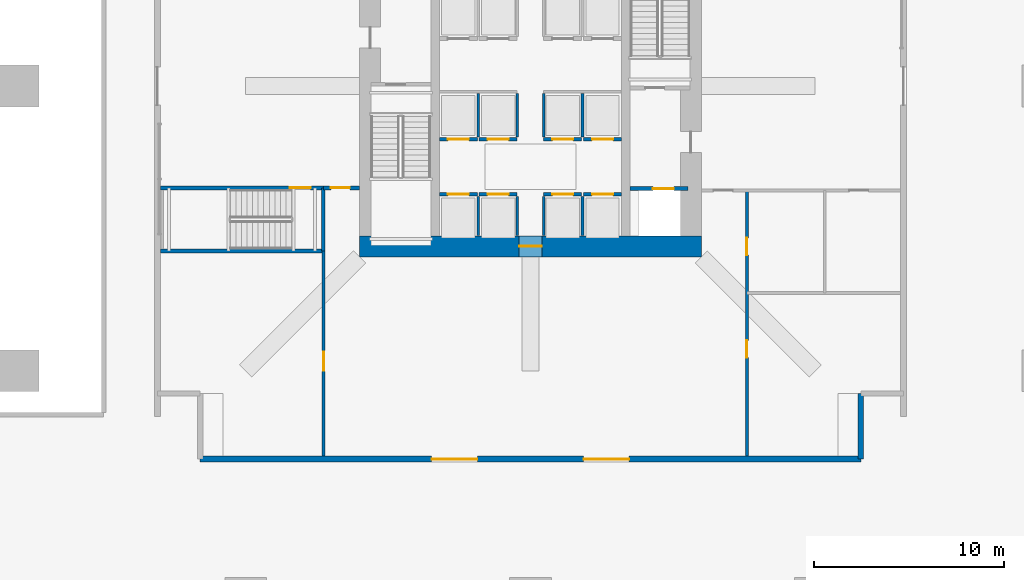
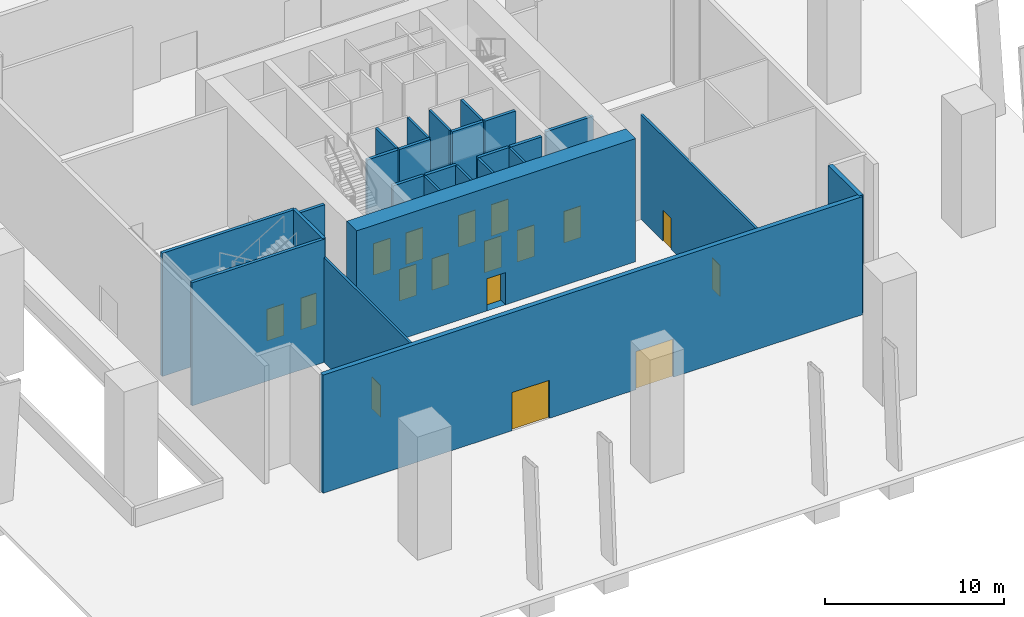
# One storey, part 6 of 12: 26 walls, 17 doors, 17 openings.
"""IFC4 building model written with IfcOpenShell, lengths in metres."""

from ifc_helpers import new_model, si_unit, direction, frame, frame_2d, origin, place, context, subcontext, project, spatial, rectangle, extrude, material, layer, layer_set, type_object, element, fill, save


model = new_model("IFC4")

# Units and contexts
model_context = context("Model", 3, precision=1e-05, world=origin(), true_north=direction((0.0, 1.0)))
body_context = subcontext(model_context, "Body", "Model", "MODEL_VIEW")
ifc_project = project(units=[si_unit("LENGTHUNIT", "METRE"), si_unit("AREAUNIT", "SQUARE_METRE"), si_unit("VOLUMEUNIT", "CUBIC_METRE"), si_unit("PLANEANGLEUNIT", "RADIAN"), si_unit("MASSUNIT", "GRAM", prefix="KILO")], contexts=[model_context])

# Site, building, storey
site_placement = place(None, origin())
site = spatial("IfcSite", under=ifc_project, at=site_placement, CompositionType="ELEMENT")
building_placement = place(site_placement, origin())
building = spatial("IfcBuilding", under=site, at=building_placement, Name="Belovzor Exchange Tower", CompositionType="ELEMENT")
storey_placement = place(building_placement, origin())
storey = spatial("IfcBuildingStorey", under=building, at=storey_placement, Name="L01", CompositionType="ELEMENT", Elevation=0.0)

# Wall, opening, door
ifc_material_1 = material(Name="Fire-Rated Gypsum Block and Mineral Wool", Category="gypsum")
ifc_layer_1 = layer(ifc_material_1, 0.14990234375)
ifc_layer_set_1 = layer_set([ifc_layer_1], Name="Fire-Rated Gypsum Block and Mineral Wool")
wall_type_1 = type_object("IfcWallType", Name="Fire-Rated Gypsum Block Corridor Wall 150", PredefinedType="PARTITIONING", material=ifc_layer_set_1)
wall_1_placement = place(storey_placement, frame((17.89990234375, 9.300048828125, 0.0), z_axis=(0.0, 0.0, 1.0), x_axis=(0.0, 1.0, 0.0)))
wall_1 = element("IfcWall", 1, at=wall_1_placement, inside=storey, type_object=wall_type_1, Name="W-P150 Partition Wall W-L01-RET-E", PredefinedType="PARTITIONING", context=body_context, shape_type="SweptSolid", body=[
    extrude(rectangle(XDim=10.800048828125, YDim=0.14990234375, at=frame_2d((5.39990234375, 0.0))), origin(), (0.0, 0.0, 1.0), 7.135009765625),
])
opening_1_placement = place(wall_1_placement, frame((4.5, 0.0, 0.0)))
opening_1 = element("IfcOpeningElement", 2, at=opening_1_placement, cuts=wall_1, Name="Opening D-FD60-105", PredefinedType="OPENING", context=body_context, shape_type="SweptSolid", body=[
    extrude(rectangle(XDim=1.0, YDim=2.14990234375, at=frame_2d((0.5, 1.074951171875))), frame((0.0, 0.0849609375, 0.0), z_axis=(0.0, -1.0, 0.0), x_axis=(1.0, 0.0, 0.0)), (0.0, 0.0, 1.0), 0.169921875),
])
ifc_material_2 = material(Name="Acoustic Timber Fire Leaf", Category="wood")
door_type_1 = type_object("IfcDoorType", Name="Podium Gallery Acoustic Fire Door 1000x2150", OperationType="NOTDEFINED", PredefinedType="DOOR", material=ifc_material_2)
door_1_placement = place(opening_1_placement, origin())
door_1 = element("IfcDoor", 3, at=door_1_placement, inside=storey, type_object=door_type_1, Name="D-FD60-105 Podium Gallery Acoustic Fire Door 1000x2150", OperationType="SINGLE_SWING_RIGHT", OverallHeight=2.14990234375, OverallWidth=1.0, PredefinedType="DOOR", context=body_context, shape_type="SweptSolid", body=[
    extrude(rectangle(XDim=1.0, YDim=2.14990234375, at=frame_2d((0.5, 1.074951171875))), frame((0.0, 0.02490234375, 0.0), z_axis=(0.0, -1.0, 0.0), x_axis=(1.0, 0.0, 0.0)), (0.0, 0.0, 1.0), 0.050048828125),
])
fill(opening_1, door_1)

# Wall, openings, doors
wall_2_placement = place(storey_placement, frame((40.199951171875, 9.300048828125, 0.0), z_axis=(0.0, 0.0, 1.0), x_axis=(0.0, 1.0, 0.0)))
wall_2 = element("IfcWall", 4, at=wall_2_placement, inside=storey, type_object=wall_type_1, Name="W-P150 Partition Wall W-L01-WC-W", PredefinedType="PARTITIONING", context=body_context, shape_type="SweptSolid", body=[
    extrude(rectangle(XDim=14.0, YDim=0.14990234375, at=frame_2d((7.0, 0.0))), origin(), (0.0, 0.0, 1.0), 7.135009765625),
])
opening_2_placement = place(wall_2_placement, frame((5.199951171875, 0.0, 0.0)))
opening_2 = element("IfcOpeningElement", 5, at=opening_2_placement, cuts=wall_2, Name="Opening D-FD60-090", PredefinedType="OPENING", context=body_context, shape_type="SweptSolid", body=[
    extrude(rectangle(XDim=0.89990234375, YDim=2.10009765625, at=frame_2d((0.449951171875, 1.050048828125))), frame((0.0, 0.0849609375, 0.0), z_axis=(0.0, -1.0, 0.0), x_axis=(1.0, 0.0, 0.0)), (0.0, 0.0, 1.0), 0.169921875),
])
opening_3_placement = place(wall_2_placement, frame((10.60009765625, 0.0, 0.0)))
opening_3 = element("IfcOpeningElement", 6, at=opening_3_placement, cuts=wall_2, Name="Opening D-FD60-090", PredefinedType="OPENING", context=body_context, shape_type="SweptSolid", body=[
    extrude(rectangle(XDim=0.89990234375, YDim=2.10009765625, at=frame_2d((0.449951171875, 1.050048828125))), frame((0.0, 0.0849609375, 0.0), z_axis=(0.0, -1.0, 0.0), x_axis=(1.0, 0.0, 0.0)), (0.0, 0.0, 1.0), 0.169921875),
])
ifc_material_3 = material(Name="Acoustic Timber Fire Leaf", Category="wood")
door_type_2 = type_object("IfcDoorType", Name="Core Service & Restroom Fire Door 900x2100", OperationType="NOTDEFINED", PredefinedType="DOOR", material=ifc_material_3)
door_2_placement = place(opening_2_placement, origin())
door_2 = element("IfcDoor", 7, at=door_2_placement, inside=storey, type_object=door_type_2, Name="D-FD60-090 Core Service & Restroom Fire Door 900x2100", OperationType="SINGLE_SWING_LEFT", OverallHeight=2.10009765625, OverallWidth=0.89990234375, PredefinedType="DOOR", context=body_context, shape_type="SweptSolid", body=[
    extrude(rectangle(XDim=0.89990234375, YDim=2.10009765625, at=frame_2d((0.449951171875, 1.050048828125))), frame((0.0, 0.02490234375, 0.0), z_axis=(0.0, -1.0, 0.0), x_axis=(1.0, 0.0, 0.0)), (0.0, 0.0, 1.0), 0.050048828125),
])
fill(opening_2, door_2)
door_3_placement = place(opening_3_placement, origin())
door_3 = element("IfcDoor", 8, at=door_3_placement, inside=storey, type_object=door_type_2, Name="D-FD60-090 Core Service & Restroom Fire Door 900x2100", OperationType="SINGLE_SWING_RIGHT", OverallHeight=2.10009765625, OverallWidth=0.89990234375, PredefinedType="DOOR", context=body_context, shape_type="SweptSolid", body=[
    extrude(rectangle(XDim=0.89990234375, YDim=2.10009765625, at=frame_2d((0.449951171875, 1.050048828125))), frame((0.0, 0.02490234375, 0.0), z_axis=(0.0, -1.0, 0.0), x_axis=(1.0, 0.0, 0.0)), (0.0, 0.0, 1.0), 0.050048828125),
])
fill(opening_3, door_3)

ifc_material_4 = material(Name="Precast concrete C40/50", Category="concrete")
ifc_layer_2 = layer(ifc_material_4, 0.300048828125)
ifc_layer_set_2 = layer_set([ifc_layer_2], Name="Precast concrete C40/50")
wall_type_2 = type_object("IfcWallType", Name="Precast Concrete Concourse Perimeter Wall 300", PredefinedType="SOLIDWALL", material=ifc_layer_set_2)
wall_3_placement = place(storey_placement, frame((46.199951171875, 9.14990234375, 0.0), z_axis=(0.0, 0.0, 1.0), x_axis=(-1.0, 0.0, 0.0)))
wall_3 = element("IfcWall", 9, at=wall_3_placement, inside=storey, type_object=wall_type_2, Name="W-CON300 Precast Concrete Concourse Perimeter Wall 300 L01", PredefinedType="SOLIDWALL", context=body_context, shape_type="SweptSolid", body=[
    extrude(rectangle(XDim=34.800048828125, YDim=0.300048828125, at=frame_2d((17.39990234375, 0.0))), origin(), (0.0, 0.0, 1.0), 8.050048828125),
])
opening_4_placement = place(wall_3_placement, frame((12.199951171875, 0.0, 0.0)))
opening_4 = element("IfcOpeningElement", 10, at=opening_4_placement, cuts=wall_3, Name="Opening D-ENT240", PredefinedType="OPENING", context=body_context, shape_type="SweptSolid", body=[
    extrude(rectangle(XDim=2.39990234375, YDim=2.60009765625, at=frame_2d((1.199951171875, 1.300048828125))), frame((0.0, 0.159912109375, 0.0), z_axis=(0.0, -1.0, 0.0), x_axis=(1.0, 0.0, 0.0)), (0.0, 0.0, 1.0), 0.320068359375),
])
opening_5_placement = place(wall_3_placement, frame((20.199951171875, 0.0, 0.0)))
opening_5 = element("IfcOpeningElement", 11, at=opening_5_placement, cuts=wall_3, Name="Opening D-ENT240", PredefinedType="OPENING", context=body_context, shape_type="SweptSolid", body=[
    extrude(rectangle(XDim=2.39990234375, YDim=2.60009765625, at=frame_2d((1.199951171875, 1.300048828125))), frame((0.0, 0.159912109375, 0.0), z_axis=(0.0, -1.0, 0.0), x_axis=(1.0, 0.0, 0.0)), (0.0, 0.0, 1.0), 0.320068359375),
])
ifc_material_5 = material(Name="Thermally Broken Anodised Aluminium and Laminated Glass", Category="aluminium")
door_type_3 = type_object("IfcDoorType", Name="Revolving & Pass Entrance Door Assembly 2400x2600", OperationType="DOUBLE_DOOR_SINGLE_SWING", PredefinedType="DOOR", material=ifc_material_5)
door_4_placement = place(opening_4_placement, origin())
door_4 = element("IfcDoor", 12, at=door_4_placement, inside=storey, type_object=door_type_3, Name="D-ENT240 Main Concourse Entrance S1", OperationType="DOUBLE_DOOR_SINGLE_SWING", OverallHeight=2.60009765625, OverallWidth=2.39990234375, PredefinedType="DOOR", context=body_context, shape_type="SweptSolid", body=[
    extrude(rectangle(XDim=2.39990234375, YDim=2.60009765625, at=frame_2d((1.199951171875, 1.300048828125))), frame((0.0, 0.02490234375, 0.0), z_axis=(0.0, -1.0, 0.0), x_axis=(1.0, 0.0, 0.0)), (0.0, 0.0, 1.0), 0.050048828125),
])
fill(opening_4, door_4)
door_5_placement = place(opening_5_placement, origin())
door_5 = element("IfcDoor", 13, at=door_5_placement, inside=storey, type_object=door_type_3, Name="D-ENT240 Main Concourse Entrance S2", OperationType="DOUBLE_DOOR_SINGLE_SWING", OverallHeight=2.60009765625, OverallWidth=2.39990234375, PredefinedType="DOOR", context=body_context, shape_type="SweptSolid", body=[
    extrude(rectangle(XDim=2.39990234375, YDim=2.60009765625, at=frame_2d((1.199951171875, 1.300048828125))), frame((0.0, 0.02490234375, 0.0), z_axis=(0.0, -1.0, 0.0), x_axis=(1.0, 0.0, 0.0)), (0.0, 0.0, 1.0), 0.050048828125),
])
fill(opening_5, door_5)

# Wall
ifc_material_6 = material(Name="Precast concrete C40/50", Category="concrete")
ifc_layer_3 = layer(ifc_material_6, 0.280029296875)
ifc_layer_set_3 = layer_set([ifc_layer_3], Name="Precast concrete C40/50")
wall_type_3 = type_object("IfcWallType", Name="Precast Concrete Notched Corner Frame Wall 280", PredefinedType="SOLIDWALL", material=ifc_layer_set_3)
wall_4_placement = place(storey_placement, frame((46.199951171875, 12.60009765625, 0.0), z_axis=(0.0, 0.0, 1.0), x_axis=(0.0, -1.0, 0.0)))
element("IfcWall", 14, at=wall_4_placement, inside=storey, type_object=wall_type_3, Name="W-CRN280 Precast Concrete Notched Corner Frame Wall 280 L01", PredefinedType="SOLIDWALL", context=body_context, shape_type="SweptSolid", body=[
    extrude(rectangle(XDim=3.4501953125, YDim=0.280029296875, at=frame_2d((1.72509765625, 0.0))), origin(), (0.0, 0.0, 1.0), 8.050048828125),
])

# Wall, opening, door
ifc_material_7 = material(Name="Concrete C40/50", Category="concrete")
ifc_layer_4 = layer(ifc_material_7, 0.199951171875)
ifc_layer_set_4 = layer_set([ifc_layer_4], Name="Concrete C40/50")
wall_type_4 = type_object("IfcWallType", Name="Reinforced Concrete Compartment Wall 200", PredefinedType="PARTITIONING", material=ifc_layer_set_4)
wall_5_placement = place(storey_placement, frame((17.885009765625, 23.43505859375, 0.0), z_axis=(0.0, 0.0, 1.0), x_axis=(1.0, 0.0, 0.0)))
wall_5 = element("IfcWall", 15, at=wall_5_placement, inside=storey, type_object=wall_type_4, Name="W-C200 Partition Wall W-L01-PASW-SE", PredefinedType="PARTITIONING", context=body_context, shape_type="SweptSolid", body=[
    extrude(rectangle(XDim=1.9150390625, YDim=0.199951171875, at=frame_2d((0.95751953125, 0.0))), origin(), (0.0, 0.0, 1.0), 8.050048828125),
])
opening_6_placement = place(wall_5_placement, frame((0.39990234375, 0.0, 0.0)))
opening_6 = element("IfcOpeningElement", 16, at=opening_6_placement, cuts=wall_5, Name="Opening D-FD90-105", PredefinedType="OPENING", context=body_context, shape_type="SweptSolid", body=[
    extrude(rectangle(XDim=1.0, YDim=2.14990234375, at=frame_2d((0.5, 1.074951171875))), frame((0.0, 0.10986328125, 0.0), z_axis=(0.0, -1.0, 0.0), x_axis=(1.0, 0.0, 0.0)), (0.0, 0.0, 1.0), 0.219970703125),
])
ifc_material_8 = material(Name="Fire-Rated Galvanised Steel Leaf", Category="steel")
door_type_4 = type_object("IfcDoorType", Name="Core North Foyer Fire Door 1000x2150", OperationType="NOTDEFINED", PredefinedType="DOOR", material=ifc_material_8)
door_6_placement = place(opening_6_placement, origin())
door_6 = element("IfcDoor", 17, at=door_6_placement, inside=storey, type_object=door_type_4, Name="D-FD90-105 Core North Foyer Fire Door 1000x2150", OperationType="SINGLE_SWING_LEFT", OverallHeight=2.14990234375, OverallWidth=1.0, PredefinedType="DOOR", context=body_context, shape_type="SweptSolid", body=[
    extrude(rectangle(XDim=1.0, YDim=2.14990234375, at=frame_2d((0.5, 1.074951171875))), frame((0.0, 0.02490234375, 0.0), z_axis=(0.0, -1.0, 0.0), x_axis=(1.0, 0.0, 0.0)), (0.0, 0.0, 1.0), 0.050048828125),
])
fill(opening_6, door_6)

# Walls
ifc_material_9 = material(Name="Concrete C50/60", Category="concrete")
ifc_layer_5 = layer(ifc_material_9, 0.14990234375)
ifc_layer_set_5 = layer_set([ifc_layer_5], Name="Concrete C50/60")
wall_type_5 = type_object("IfcWallType", Name="Reinforced Concrete Core Riser Shear Wall 150", PredefinedType="SHEAR", material=ifc_layer_set_5)
for number, where, z_axis, x_axis, name in (
    (18, (26.050048828125, 20.919921875, 0.0), (0.0, 0.0, 1.0), (0.0, 1.0, 0.0), "W-C150S Core Shaft Wall W-SHD-L01-PLL-1"),
    (19, (28.10009765625, 20.919921875, 0.0), (0.0, 0.0, 1.0), (0.0, 1.0, 0.0), "W-C150S Core Shaft Wall W-SHD-L01-PLL-2"),
    (20, (29.5, 20.919921875, 0.0), (0.0, 0.0, 1.0), (0.0, 1.0, 0.0), "W-C150S Core Shaft Wall W-SHD-L01-PLL-3"),
    (21, (31.550048828125, 20.919921875, 0.0), (0.0, 0.0, 1.0), (0.0, 1.0, 0.0), "W-C150S Core Shaft Wall W-SHD-L01-PLL-4"),
):
    element("IfcWall", number, at=place(storey_placement, frame(where, z_axis=z_axis, x_axis=x_axis)), inside=storey, type_object=wall_type_5, Name=name, PredefinedType="SHEAR", context=body_context, shape_type="SweptSolid", body=[
        extrude(rectangle(XDim=2.06005859375, YDim=0.14990234375, at=frame_2d((1.030029296875, 0.0))), origin(), (0.0, 0.0, 1.0), 8.050048828125),
    ])
for number, where, z_axis, x_axis, name in (
    (22, (26.050048828125, 26.1201171875, 0.0), (0.0, 0.0, 1.0), (0.0, 1.0, 0.0), "W-C150S Core Shaft Wall W-SHD-L01-PLM-1"),
    (23, (28.10009765625, 26.1201171875, 0.0), (0.0, 0.0, 1.0), (0.0, 1.0, 0.0), "W-C150S Core Shaft Wall W-SHD-L01-PLM-2"),
    (24, (29.5, 26.1201171875, 0.0), (0.0, 0.0, 1.0), (0.0, 1.0, 0.0), "W-C150S Core Shaft Wall W-SHD-L01-PLM-3"),
    (25, (31.550048828125, 26.1201171875, 0.0), (0.0, 0.0, 1.0), (0.0, 1.0, 0.0), "W-C150S Core Shaft Wall W-SHD-L01-PLM-4"),
):
    element("IfcWall", number, at=place(storey_placement, frame(where, z_axis=z_axis, x_axis=x_axis)), inside=storey, type_object=wall_type_5, Name=name, PredefinedType="SHEAR", context=body_context, shape_type="SweptSolid", body=[
        extrude(rectangle(XDim=2.27978515625, YDim=0.14990234375, at=frame_2d((1.139892578125, 0.0))), origin(), (0.0, 0.0, 1.0), 8.050048828125),
    ])

# Wall, opening, door
ifc_material_10 = material(Name="Concrete C50/60", Category="concrete")
ifc_layer_6 = layer(ifc_material_10, 0.199951171875)
ifc_layer_set_6 = layer_set([ifc_layer_6], Name="Concrete C50/60")
wall_type_6 = type_object("IfcWallType", Name="Reinforced Concrete Core Shaft Shear Wall 200", PredefinedType="SHEAR", material=ifc_layer_set_6)
wall_6_placement = place(storey_placement, frame((34.050048828125, 23.39990234375, 0.0), z_axis=(0.0, 0.0, 1.0), x_axis=(1.0, 0.0, 0.0)))
wall_6 = element("IfcWall", 26, at=wall_6_placement, inside=storey, type_object=wall_type_6, Name="W-C200S Core Shaft Wall W-SH-L01-FFL-02", PredefinedType="SHEAR", context=body_context, shape_type="SweptSolid", body=[
    extrude(rectangle(XDim=3.050048828125, YDim=0.199951171875, at=frame_2d((1.52490234375, 0.0))), origin(), (0.0, 0.0, 1.0), 8.050048828125),
])
opening_7_placement = place(wall_6_placement, frame((1.199951171875, 0.0, 0.0)))
opening_7 = element("IfcOpeningElement", 27, at=opening_7_placement, cuts=wall_6, Name="Opening LD-110", PredefinedType="OPENING", context=body_context, shape_type="SweptSolid", body=[
    extrude(rectangle(XDim=1.10009765625, YDim=2.14990234375, at=frame_2d((0.550048828125, 1.074951171875))), frame((0.0, 0.10986328125, 0.0), z_axis=(0.0, -1.0, 0.0), x_axis=(1.0, 0.0, 0.0)), (0.0, 0.0, 1.0), 0.219970703125),
])
ifc_material_11 = material(Name="Stainless Steel Grade 304", Category="steel")
door_type_5 = type_object("IfcDoorType", Name="Automated Stainless Steel Lift Landing Door 1100x2150", OperationType="SLIDING_TO_RIGHT", PredefinedType="DOOR", material=ifc_material_11)
door_7_placement = place(opening_7_placement, origin())
door_7 = element("IfcDoor", 28, at=door_7_placement, inside=storey, type_object=door_type_5, Name="LD-110 Automated Stainless Steel Lift Landing Door 1100x2150", OperationType="SLIDING_TO_RIGHT", OverallHeight=2.14990234375, OverallWidth=1.10009765625, PredefinedType="DOOR", context=body_context, shape_type="SweptSolid", body=[
    extrude(rectangle(XDim=1.10009765625, YDim=2.14990234375, at=frame_2d((0.550048828125, 1.074951171875))), frame((0.0, 0.02490234375, 0.0), z_axis=(0.0, -1.0, 0.0), x_axis=(1.0, 0.0, 0.0)), (0.0, 0.0, 1.0), 0.050048828125),
])
fill(opening_7, door_7)

wall_7_placement = place(storey_placement, frame((24.0, 23.10009765625, 0.0), z_axis=(0.0, 0.0, 1.0), x_axis=(1.0, 0.0, 0.0)))
wall_7 = element("IfcWall", 29, at=wall_7_placement, inside=storey, type_object=wall_type_6, Name="W-C200S Core Shaft Wall W-SH-L01-PL-L1", PredefinedType="SHEAR", context=body_context, shape_type="SweptSolid", body=[
    extrude(rectangle(XDim=2.0, YDim=0.199951171875, at=frame_2d((1.0, 0.0))), origin(), (0.0, 0.0, 1.0), 8.050048828125),
])
opening_8_placement = place(wall_7_placement, frame((0.449951171875, 0.0, 0.0)))
opening_8 = element("IfcOpeningElement", 30, at=opening_8_placement, cuts=wall_7, Name="Opening LD-110", PredefinedType="OPENING", context=body_context, shape_type="SweptSolid", body=[
    extrude(rectangle(XDim=1.10009765625, YDim=2.14990234375, at=frame_2d((0.550048828125, 1.074951171875))), frame((0.0, 0.10986328125, 0.0), z_axis=(0.0, -1.0, 0.0), x_axis=(1.0, 0.0, 0.0)), (0.0, 0.0, 1.0), 0.219970703125),
])
door_8_placement = place(opening_8_placement, origin())
door_8 = element("IfcDoor", 31, at=door_8_placement, inside=storey, type_object=door_type_5, Name="LD-110 Automated Stainless Steel Lift Landing Door 1100x2150", OperationType="SLIDING_TO_RIGHT", OverallHeight=2.14990234375, OverallWidth=1.10009765625, PredefinedType="DOOR", context=body_context, shape_type="SweptSolid", body=[
    extrude(rectangle(XDim=1.10009765625, YDim=2.14990234375, at=frame_2d((0.550048828125, 1.074951171875))), frame((0.0, 0.02490234375, 0.0), z_axis=(0.0, -1.0, 0.0), x_axis=(1.0, 0.0, 0.0)), (0.0, 0.0, 1.0), 0.050048828125),
])
fill(opening_8, door_8)

wall_8_placement = place(storey_placement, frame((26.10009765625, 23.10009765625, 0.0), z_axis=(0.0, 0.0, 1.0), x_axis=(1.0, 0.0, 0.0)))
wall_8 = element("IfcWall", 32, at=wall_8_placement, inside=storey, type_object=wall_type_6, Name="W-C200S Core Shaft Wall W-SH-L01-PL-L2", PredefinedType="SHEAR", context=body_context, shape_type="SweptSolid", body=[
    extrude(rectangle(XDim=2.0, YDim=0.199951171875, at=frame_2d((1.0, 0.0))), origin(), (0.0, 0.0, 1.0), 8.050048828125),
])
opening_9_placement = place(wall_8_placement, frame((0.449951171875, 0.0, 0.0)))
opening_9 = element("IfcOpeningElement", 33, at=opening_9_placement, cuts=wall_8, Name="Opening LD-110", PredefinedType="OPENING", context=body_context, shape_type="SweptSolid", body=[
    extrude(rectangle(XDim=1.10009765625, YDim=2.14990234375, at=frame_2d((0.550048828125, 1.074951171875))), frame((0.0, 0.10986328125, 0.0), z_axis=(0.0, -1.0, 0.0), x_axis=(1.0, 0.0, 0.0)), (0.0, 0.0, 1.0), 0.219970703125),
])
door_9_placement = place(opening_9_placement, origin())
door_9 = element("IfcDoor", 34, at=door_9_placement, inside=storey, type_object=door_type_5, Name="LD-110 Automated Stainless Steel Lift Landing Door 1100x2150", OperationType="SLIDING_TO_RIGHT", OverallHeight=2.14990234375, OverallWidth=1.10009765625, PredefinedType="DOOR", context=body_context, shape_type="SweptSolid", body=[
    extrude(rectangle(XDim=1.10009765625, YDim=2.14990234375, at=frame_2d((0.550048828125, 1.074951171875))), frame((0.0, 0.02490234375, 0.0), z_axis=(0.0, -1.0, 0.0), x_axis=(1.0, 0.0, 0.0)), (0.0, 0.0, 1.0), 0.050048828125),
])
fill(opening_9, door_9)

wall_9_placement = place(storey_placement, frame((29.5, 23.10009765625, 0.0), z_axis=(0.0, 0.0, 1.0), x_axis=(1.0, 0.0, 0.0)))
wall_9 = element("IfcWall", 35, at=wall_9_placement, inside=storey, type_object=wall_type_6, Name="W-C200S Core Shaft Wall W-SH-L01-PL-L3", PredefinedType="SHEAR", context=body_context, shape_type="SweptSolid", body=[
    extrude(rectangle(XDim=2.0, YDim=0.199951171875, at=frame_2d((1.0, 0.0))), origin(), (0.0, 0.0, 1.0), 8.050048828125),
])
opening_10_placement = place(wall_9_placement, frame((0.449951171875, 0.0, 0.0)))
opening_10 = element("IfcOpeningElement", 36, at=opening_10_placement, cuts=wall_9, Name="Opening LD-110", PredefinedType="OPENING", context=body_context, shape_type="SweptSolid", body=[
    extrude(rectangle(XDim=1.10009765625, YDim=2.14990234375, at=frame_2d((0.550048828125, 1.074951171875))), frame((0.0, 0.10986328125, 0.0), z_axis=(0.0, -1.0, 0.0), x_axis=(1.0, 0.0, 0.0)), (0.0, 0.0, 1.0), 0.219970703125),
])
door_10_placement = place(opening_10_placement, origin())
door_10 = element("IfcDoor", 37, at=door_10_placement, inside=storey, type_object=door_type_5, Name="LD-110 Automated Stainless Steel Lift Landing Door 1100x2150", OperationType="SLIDING_TO_RIGHT", OverallHeight=2.14990234375, OverallWidth=1.10009765625, PredefinedType="DOOR", context=body_context, shape_type="SweptSolid", body=[
    extrude(rectangle(XDim=1.10009765625, YDim=2.14990234375, at=frame_2d((0.550048828125, 1.074951171875))), frame((0.0, 0.02490234375, 0.0), z_axis=(0.0, -1.0, 0.0), x_axis=(1.0, 0.0, 0.0)), (0.0, 0.0, 1.0), 0.050048828125),
])
fill(opening_10, door_10)

wall_10_placement = place(storey_placement, frame((31.60009765625, 23.10009765625, 0.0), z_axis=(0.0, 0.0, 1.0), x_axis=(1.0, 0.0, 0.0)))
wall_10 = element("IfcWall", 38, at=wall_10_placement, inside=storey, type_object=wall_type_6, Name="W-C200S Core Shaft Wall W-SH-L01-PL-L4", PredefinedType="SHEAR", context=body_context, shape_type="SweptSolid", body=[
    extrude(rectangle(XDim=2.0, YDim=0.199951171875, at=frame_2d((1.0, 0.0))), origin(), (0.0, 0.0, 1.0), 8.050048828125),
])
opening_11_placement = place(wall_10_placement, frame((0.449951171875, 0.0, 0.0)))
opening_11 = element("IfcOpeningElement", 39, at=opening_11_placement, cuts=wall_10, Name="Opening LD-110", PredefinedType="OPENING", context=body_context, shape_type="SweptSolid", body=[
    extrude(rectangle(XDim=1.10009765625, YDim=2.14990234375, at=frame_2d((0.550048828125, 1.074951171875))), frame((0.0, 0.10986328125, 0.0), z_axis=(0.0, -1.0, 0.0), x_axis=(1.0, 0.0, 0.0)), (0.0, 0.0, 1.0), 0.219970703125),
])
door_11_placement = place(opening_11_placement, origin())
door_11 = element("IfcDoor", 40, at=door_11_placement, inside=storey, type_object=door_type_5, Name="LD-110 Automated Stainless Steel Lift Landing Door 1100x2150", OperationType="SLIDING_TO_RIGHT", OverallHeight=2.14990234375, OverallWidth=1.10009765625, PredefinedType="DOOR", context=body_context, shape_type="SweptSolid", body=[
    extrude(rectangle(XDim=1.10009765625, YDim=2.14990234375, at=frame_2d((0.550048828125, 1.074951171875))), frame((0.0, 0.02490234375, 0.0), z_axis=(0.0, -1.0, 0.0), x_axis=(1.0, 0.0, 0.0)), (0.0, 0.0, 1.0), 0.050048828125),
])
fill(opening_11, door_11)

wall_11_placement = place(storey_placement, frame((24.0, 26.0, 0.0), z_axis=(0.0, 0.0, 1.0), x_axis=(1.0, 0.0, 0.0)))
wall_11 = element("IfcWall", 41, at=wall_11_placement, inside=storey, type_object=wall_type_6, Name="W-C200S Core Shaft Wall W-SH-L01-PL-M1", PredefinedType="SHEAR", context=body_context, shape_type="SweptSolid", body=[
    extrude(rectangle(XDim=2.0, YDim=0.199951171875, at=frame_2d((1.0, 0.0))), origin(), (0.0, 0.0, 1.0), 8.050048828125),
])
opening_12_placement = place(wall_11_placement, frame((0.449951171875, 0.0, 0.0)))
opening_12 = element("IfcOpeningElement", 42, at=opening_12_placement, cuts=wall_11, Name="Opening LD-110", PredefinedType="OPENING", context=body_context, shape_type="SweptSolid", body=[
    extrude(rectangle(XDim=1.10009765625, YDim=2.14990234375, at=frame_2d((0.550048828125, 1.074951171875))), frame((0.0, 0.10986328125, 0.0), z_axis=(0.0, -1.0, 0.0), x_axis=(1.0, 0.0, 0.0)), (0.0, 0.0, 1.0), 0.219970703125),
])
door_12_placement = place(opening_12_placement, origin())
door_12 = element("IfcDoor", 43, at=door_12_placement, inside=storey, type_object=door_type_5, Name="LD-110 Automated Stainless Steel Lift Landing Door 1100x2150", OperationType="SLIDING_TO_RIGHT", OverallHeight=2.14990234375, OverallWidth=1.10009765625, PredefinedType="DOOR", context=body_context, shape_type="SweptSolid", body=[
    extrude(rectangle(XDim=1.10009765625, YDim=2.14990234375, at=frame_2d((0.550048828125, 1.074951171875))), frame((0.0, 0.02490234375, 0.0), z_axis=(0.0, -1.0, 0.0), x_axis=(1.0, 0.0, 0.0)), (0.0, 0.0, 1.0), 0.050048828125),
])
fill(opening_12, door_12)

wall_12_placement = place(storey_placement, frame((26.10009765625, 26.0, 0.0), z_axis=(0.0, 0.0, 1.0), x_axis=(1.0, 0.0, 0.0)))
wall_12 = element("IfcWall", 44, at=wall_12_placement, inside=storey, type_object=wall_type_6, Name="W-C200S Core Shaft Wall W-SH-L01-PL-M2", PredefinedType="SHEAR", context=body_context, shape_type="SweptSolid", body=[
    extrude(rectangle(XDim=2.0, YDim=0.199951171875, at=frame_2d((1.0, 0.0))), origin(), (0.0, 0.0, 1.0), 8.050048828125),
])
opening_13_placement = place(wall_12_placement, frame((0.449951171875, 0.0, 0.0)))
opening_13 = element("IfcOpeningElement", 45, at=opening_13_placement, cuts=wall_12, Name="Opening LD-110", PredefinedType="OPENING", context=body_context, shape_type="SweptSolid", body=[
    extrude(rectangle(XDim=1.10009765625, YDim=2.14990234375, at=frame_2d((0.550048828125, 1.074951171875))), frame((0.0, 0.10986328125, 0.0), z_axis=(0.0, -1.0, 0.0), x_axis=(1.0, 0.0, 0.0)), (0.0, 0.0, 1.0), 0.219970703125),
])
door_13_placement = place(opening_13_placement, origin())
door_13 = element("IfcDoor", 46, at=door_13_placement, inside=storey, type_object=door_type_5, Name="LD-110 Automated Stainless Steel Lift Landing Door 1100x2150", OperationType="SLIDING_TO_RIGHT", OverallHeight=2.14990234375, OverallWidth=1.10009765625, PredefinedType="DOOR", context=body_context, shape_type="SweptSolid", body=[
    extrude(rectangle(XDim=1.10009765625, YDim=2.14990234375, at=frame_2d((0.550048828125, 1.074951171875))), frame((0.0, 0.02490234375, 0.0), z_axis=(0.0, -1.0, 0.0), x_axis=(1.0, 0.0, 0.0)), (0.0, 0.0, 1.0), 0.050048828125),
])
fill(opening_13, door_13)

wall_13_placement = place(storey_placement, frame((29.5, 26.0, 0.0), z_axis=(0.0, 0.0, 1.0), x_axis=(1.0, 0.0, 0.0)))
wall_13 = element("IfcWall", 47, at=wall_13_placement, inside=storey, type_object=wall_type_6, Name="W-C200S Core Shaft Wall W-SH-L01-PL-M3", PredefinedType="SHEAR", context=body_context, shape_type="SweptSolid", body=[
    extrude(rectangle(XDim=2.0, YDim=0.199951171875, at=frame_2d((1.0, 0.0))), origin(), (0.0, 0.0, 1.0), 8.050048828125),
])
opening_14_placement = place(wall_13_placement, frame((0.449951171875, 0.0, 0.0)))
opening_14 = element("IfcOpeningElement", 48, at=opening_14_placement, cuts=wall_13, Name="Opening LD-110", PredefinedType="OPENING", context=body_context, shape_type="SweptSolid", body=[
    extrude(rectangle(XDim=1.10009765625, YDim=2.14990234375, at=frame_2d((0.550048828125, 1.074951171875))), frame((0.0, 0.10986328125, 0.0), z_axis=(0.0, -1.0, 0.0), x_axis=(1.0, 0.0, 0.0)), (0.0, 0.0, 1.0), 0.219970703125),
])
door_14_placement = place(opening_14_placement, origin())
door_14 = element("IfcDoor", 49, at=door_14_placement, inside=storey, type_object=door_type_5, Name="LD-110 Automated Stainless Steel Lift Landing Door 1100x2150", OperationType="SLIDING_TO_RIGHT", OverallHeight=2.14990234375, OverallWidth=1.10009765625, PredefinedType="DOOR", context=body_context, shape_type="SweptSolid", body=[
    extrude(rectangle(XDim=1.10009765625, YDim=2.14990234375, at=frame_2d((0.550048828125, 1.074951171875))), frame((0.0, 0.02490234375, 0.0), z_axis=(0.0, -1.0, 0.0), x_axis=(1.0, 0.0, 0.0)), (0.0, 0.0, 1.0), 0.050048828125),
])
fill(opening_14, door_14)

wall_14_placement = place(storey_placement, frame((31.60009765625, 26.0, 0.0), z_axis=(0.0, 0.0, 1.0), x_axis=(1.0, 0.0, 0.0)))
wall_14 = element("IfcWall", 50, at=wall_14_placement, inside=storey, type_object=wall_type_6, Name="W-C200S Core Shaft Wall W-SH-L01-PL-M4", PredefinedType="SHEAR", context=body_context, shape_type="SweptSolid", body=[
    extrude(rectangle(XDim=2.0, YDim=0.199951171875, at=frame_2d((1.0, 0.0))), origin(), (0.0, 0.0, 1.0), 8.050048828125),
])
opening_15_placement = place(wall_14_placement, frame((0.449951171875, 0.0, 0.0)))
opening_15 = element("IfcOpeningElement", 51, at=opening_15_placement, cuts=wall_14, Name="Opening LD-110", PredefinedType="OPENING", context=body_context, shape_type="SweptSolid", body=[
    extrude(rectangle(XDim=1.10009765625, YDim=2.14990234375, at=frame_2d((0.550048828125, 1.074951171875))), frame((0.0, 0.10986328125, 0.0), z_axis=(0.0, -1.0, 0.0), x_axis=(1.0, 0.0, 0.0)), (0.0, 0.0, 1.0), 0.219970703125),
])
door_15_placement = place(opening_15_placement, origin())
door_15 = element("IfcDoor", 52, at=door_15_placement, inside=storey, type_object=door_type_5, Name="LD-110 Automated Stainless Steel Lift Landing Door 1100x2150", OperationType="SLIDING_TO_RIGHT", OverallHeight=2.14990234375, OverallWidth=1.10009765625, PredefinedType="DOOR", context=body_context, shape_type="SweptSolid", body=[
    extrude(rectangle(XDim=1.10009765625, YDim=2.14990234375, at=frame_2d((0.550048828125, 1.074951171875))), frame((0.0, 0.02490234375, 0.0), z_axis=(0.0, -1.0, 0.0), x_axis=(1.0, 0.0, 0.0)), (0.0, 0.0, 1.0), 0.050048828125),
])
fill(opening_15, door_15)

wall_15_placement = place(storey_placement, frame((9.31494140625, 23.43505859375, 0.0), z_axis=(0.0, 0.0, 1.0), x_axis=(1.0, 0.0, 0.0)))
wall_15 = element("IfcWall", 53, at=wall_15_placement, inside=storey, type_object=wall_type_6, Name="W-C200S Core Shaft Wall W-ST3-L01-N", PredefinedType="SHEAR", context=body_context, shape_type="SweptSolid", body=[
    extrude(rectangle(XDim=8.570068359375, YDim=0.199951171875, at=frame_2d((4.28515625, 0.0))), origin(), (0.0, 0.0, 1.0), 8.39794921875),
])
opening_16_placement = place(wall_15_placement, frame((6.800048828125, 0.0, 0.0)))
opening_16 = element("IfcOpeningElement", 54, at=opening_16_placement, cuts=wall_15, Name="Opening D-FD90-110", PredefinedType="OPENING", context=body_context, shape_type="SweptSolid", body=[
    extrude(rectangle(XDim=1.10009765625, YDim=2.14990234375, at=frame_2d((0.550048828125, 1.074951171875))), frame((0.0, 0.10986328125, 0.0), z_axis=(0.0, -1.0, 0.0), x_axis=(1.0, 0.0, 0.0)), (0.0, 0.0, 1.0), 0.219970703125),
])
ifc_material_12 = material(Name="Fire-Rated Galvanised Steel Leaf", Category="steel")
door_type_6 = type_object("IfcDoorType", Name="Protected Escape Vestibule Fire Door 1100x2150", OperationType="NOTDEFINED", PredefinedType="DOOR", material=ifc_material_12)
door_16_placement = place(opening_16_placement, origin())
door_16 = element("IfcDoor", 55, at=door_16_placement, inside=storey, type_object=door_type_6, Name="D-FD90-110 Protected Escape Vestibule Fire Door 1100x2150", OperationType="SINGLE_SWING_LEFT", OverallHeight=2.14990234375, OverallWidth=1.10009765625, PredefinedType="DOOR", context=body_context, shape_type="SweptSolid", body=[
    extrude(rectangle(XDim=1.10009765625, YDim=2.14990234375, at=frame_2d((0.550048828125, 1.074951171875))), frame((0.0, 0.02490234375, 0.0), z_axis=(0.0, -1.0, 0.0), x_axis=(1.0, 0.0, 0.0)), (0.0, 0.0, 1.0), 0.050048828125),
])
fill(opening_16, door_16)

# Walls
wall_16_placement = place(storey_placement, frame((9.31494140625, 20.114990234375, 0.0), z_axis=(0.0, 0.0, 1.0), x_axis=(1.0, 0.0, 0.0)))
element("IfcWall", 56, at=wall_16_placement, inside=storey, type_object=wall_type_6, Name="W-C200S Core Shaft Wall W-ST3-L01-S", PredefinedType="SHEAR", context=body_context, shape_type="SweptSolid", body=[
    extrude(rectangle(XDim=8.570068359375, YDim=0.199951171875, at=frame_2d((4.28515625, 0.0))), origin(), (0.0, 0.0, 1.0), 8.39794921875),
])
wall_17_placement = place(storey_placement, frame((17.885009765625, 20.114990234375, 0.0), z_axis=(0.0, 0.0, 1.0), x_axis=(0.0, 1.0, 0.0)))
element("IfcWall", 57, at=wall_17_placement, inside=storey, type_object=wall_type_6, Name="W-C200S Core Shaft Wall W-ST3-L01-E", PredefinedType="SHEAR", context=body_context, shape_type="SweptSolid", body=[
    extrude(rectangle(XDim=3.320068359375, YDim=0.199951171875, at=frame_2d((1.66015625, 0.0))), origin(), (0.0, 0.0, 1.0), 8.39794921875),
])

# Wall, opening, door
ifc_material_13 = material(Name="Concrete C60/75", Category="concrete")
ifc_layer_7 = layer(ifc_material_13, 1.10009765625)
ifc_layer_set_7 = layer_set([ifc_layer_7], Name="Concrete C60/75")
wall_type_7 = type_object("IfcWallType", Name="Reinforced Concrete Core Shear Wall 1100", PredefinedType="SHEAR", material=ifc_layer_set_7)
wall_18_placement = place(storey_placement, frame((19.800048828125, 20.35009765625, 0.0), z_axis=(0.0, 0.0, 1.0), x_axis=(1.0, 0.0, 0.0)))
wall_18 = element("IfcWall", 58, at=wall_18_placement, inside=storey, type_object=wall_type_7, Name="CW-S110 Core Shear Wall L01 S", PredefinedType="SHEAR", context=body_context, shape_type="SweptSolid", body=[
    extrude(rectangle(XDim=18.0, YDim=1.10009765625, at=frame_2d((9.0, 0.0))), origin(), (0.0, 0.0, 1.0), 8.39990234375),
])
opening_17_placement = place(wall_18_placement, frame((8.39990234375, 0.0, 0.0)))
opening_17 = element("IfcOpeningElement", 59, at=opening_17_placement, cuts=wall_18, Name="Opening D-FD90-120", PredefinedType="OPENING", context=body_context, shape_type="SweptSolid", body=[
    extrude(rectangle(XDim=1.199951171875, YDim=2.199951171875, at=frame_2d((0.60009765625, 1.10009765625))), frame((0.0, 0.56005859375, 0.0), z_axis=(0.0, -1.0, 0.0), x_axis=(1.0, 0.0, 0.0)), (0.0, 0.0, 1.0), 1.1201171875),
])
ifc_material_14 = material(Name="Fire-Rated Galvanised Steel Leaf", Category="steel")
door_type_7 = type_object("IfcDoorType", Name="Heavy Plant & Foyer Fire Door 1200x2200", OperationType="NOTDEFINED", PredefinedType="DOOR", material=ifc_material_14)
door_17_placement = place(opening_17_placement, origin())
door_17 = element("IfcDoor", 60, at=door_17_placement, inside=storey, type_object=door_type_7, Name="D-FD90-120 Heavy Plant & Foyer Fire Door 1200x2200", OperationType="SINGLE_SWING_LEFT", OverallHeight=2.199951171875, OverallWidth=1.199951171875, PredefinedType="DOOR", context=body_context, shape_type="SweptSolid", body=[
    extrude(rectangle(XDim=1.199951171875, YDim=2.199951171875, at=frame_2d((0.60009765625, 1.10009765625))), frame((0.0, 0.02490234375, 0.0), z_axis=(0.0, -1.0, 0.0), x_axis=(1.0, 0.0, 0.0)), (0.0, 0.0, 1.0), 0.050048828125),
])
fill(opening_17, door_17)

save(model, "model.ifc")
